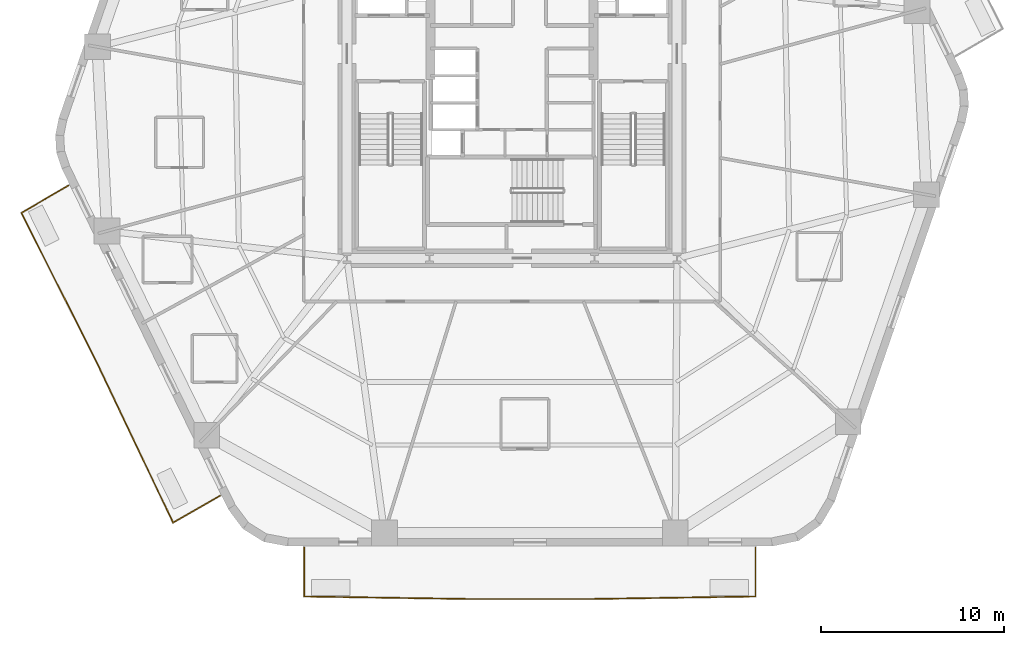
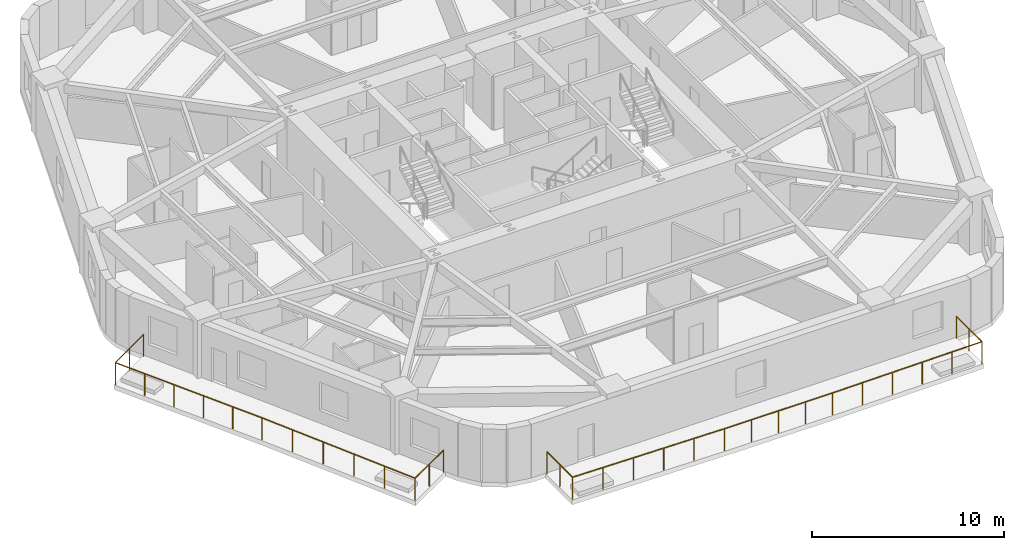
# One storey, part 8 of 10: 2 railings.
"""IFC4 building model written with IfcOpenShell, lengths in metres."""

from ifc_helpers import new_model, si_unit, direction, frame, origin, origin_2d, place, context, subcontext, project, spatial, rectangle, extrude, material, layer, layer_set, type_object, element, save


model = new_model("IFC4")

# Units and contexts
model_context = context("Model", 3, precision=1e-05, world=origin(), true_north=direction((0.0, 1.0)))
body_context = subcontext(model_context, "Body", "Model", "MODEL_VIEW")
ifc_project = project(units=[si_unit("LENGTHUNIT", "METRE"), si_unit("AREAUNIT", "SQUARE_METRE"), si_unit("VOLUMEUNIT", "CUBIC_METRE"), si_unit("PLANEANGLEUNIT", "RADIAN"), si_unit("MASSUNIT", "GRAM", prefix="KILO")], contexts=[model_context])

# Site, building, storey
site_placement = place(None, origin())
site = spatial("IfcSite", under=ifc_project, at=site_placement, CompositionType="ELEMENT")
building_placement = place(site_placement, origin())
building = spatial("IfcBuilding", under=site, at=building_placement, Name="Kilnhurst Terrace Hotel", CompositionType="ELEMENT")
storey_placement = place(building_placement, frame((0.0, 0.0, 56.39990234375)))
storey = spatial("IfcBuildingStorey", under=building, at=storey_placement, Name="L12", CompositionType="ELEMENT", Elevation=56.39990234375)

# Railings
ifc_material = material(Name="Laminated SentryGlas and Stainless Steel AISI 316L Balustrade", Category="steel")
ifc_layer = layer(ifc_material, 0.070068359375, Name="Laminated SentryGlas and Stainless Steel AISI 316L Balustrade")
ifc_layer_set = layer_set([ifc_layer], Name="Laminated SentryGlas and Stainless Steel AISI 316L Balustrade")
railing_type = type_object("IfcRailingType", Name="RLG-BAL-1420", PredefinedType="BALUSTRADE", material=ifc_layer_set)
railing_1_placement = place(storey_placement, frame((-15.923095703125, -20.44873046875, 0.0)))
element("IfcRailing", 1, at=railing_1_placement, inside=storey, type_object=railing_type, Name="L12 Exterior Terrace Guardrail BAL-L2A.1", PredefinedType="BALUSTRADE", context=body_context, shape_type="SweptSolid", body=[
    extrude(rectangle(XDim=0.048095703125, YDim=0.048095703125, at=origin_2d()), frame((0.0, 0.0, 1.39599609375), z_axis=(-0.86763656582, -0.497198943736, 0.0), x_axis=(0.497198943736, -0.86763656582, 0.0)), (0.0, 0.0, 1.0), 2.95068359375),
    extrude(rectangle(XDim=0.048095703125, YDim=0.048095703125, at=origin_2d()), frame((-2.56005859375, -1.467041015625, 1.39599609375), z_axis=(-0.430147205624, 0.902758761516, 0.0), x_axis=(-0.902758761516, -0.430147205624, 0.0)), (0.0, 0.0, 1.0), 9.67041015625),
    extrude(rectangle(XDim=0.048095703125, YDim=0.048095703125, at=origin_2d()), frame((-6.7197265625, 7.262939453125, 1.39599609375), z_axis=(-0.514495755428, 0.857492925713, 0.0), x_axis=(-0.857492925713, -0.514495755428, 0.0)), (0.0, 0.0, 1.0), 0.00146484375),
    extrude(rectangle(XDim=0.048095703125, YDim=0.048095703125, at=origin_2d()), frame((-6.720458984375, 7.26416015625, 1.39599609375), z_axis=(-0.449648824937, 0.89320542667, 0.0), x_axis=(-0.89320542667, -0.449648824937, 0.0)), (0.0, 0.0, 1.0), 9.136962890625),
    extrude(rectangle(XDim=0.048095703125, YDim=0.048095703125, at=origin_2d()), frame((-10.828857421875, 15.42529296875, 1.39599609375), z_axis=(0.863737120301, 0.503942642584, 0.0), x_axis=(-0.503942642584, 0.863737120301, 0.0)), (0.0, 0.0, 1.0), 2.96728515625),
    extrude(rectangle(XDim=0.0419921875, YDim=0.0419921875, at=origin_2d()), origin(), (0.0, 0.0, 1.0), 1.371826171875),
    extrude(rectangle(XDim=0.0419921875, YDim=0.0419921875, at=origin_2d()), frame((-1.280029296875, -0.7333984375, 0.0)), (0.0, 0.0, 1.0), 1.371826171875),
    extrude(rectangle(XDim=0.0419921875, YDim=0.0419921875, at=origin_2d()), frame((-2.56005859375, -1.467041015625, 0.0)), (0.0, 0.0, 1.0), 1.371826171875),
    extrude(rectangle(XDim=0.0419921875, YDim=0.0419921875, at=origin_2d()), frame((-3.39208984375, 0.279052734375, 0.0)), (0.0, 0.0, 1.0), 1.371826171875),
    extrude(rectangle(XDim=0.0419921875, YDim=0.0419921875, at=origin_2d()), frame((-4.223876953125, 2.02490234375, 0.0)), (0.0, 0.0, 1.0), 1.371826171875),
    extrude(rectangle(XDim=0.0419921875, YDim=0.0419921875, at=origin_2d()), frame((-5.055908203125, 3.77099609375, 0.0)), (0.0, 0.0, 1.0), 1.371826171875),
    extrude(rectangle(XDim=0.0419921875, YDim=0.0419921875, at=origin_2d()), frame((-5.8876953125, 5.516845703125, 0.0)), (0.0, 0.0, 1.0), 1.371826171875),
    extrude(rectangle(XDim=0.0419921875, YDim=0.0419921875, at=origin_2d()), frame((-6.7197265625, 7.262939453125, 0.0)), (0.0, 0.0, 1.0), 1.371826171875),
    extrude(rectangle(XDim=0.0419921875, YDim=0.0419921875, at=origin_2d()), frame((-6.720458984375, 7.26416015625, 0.0)), (0.0, 0.0, 1.0), 1.371826171875),
    extrude(rectangle(XDim=0.0419921875, YDim=0.0419921875, at=origin_2d()), frame((-7.542236328125, 8.896484375, 0.0)), (0.0, 0.0, 1.0), 1.371826171875),
    extrude(rectangle(XDim=0.0419921875, YDim=0.0419921875, at=origin_2d()), frame((-8.36376953125, 10.528564453125, 0.0)), (0.0, 0.0, 1.0), 1.371826171875),
    extrude(rectangle(XDim=0.0419921875, YDim=0.0419921875, at=origin_2d()), frame((-9.185546875, 12.160888671875, 0.0)), (0.0, 0.0, 1.0), 1.371826171875),
    extrude(rectangle(XDim=0.0419921875, YDim=0.0419921875, at=origin_2d()), frame((-10.007080078125, 13.79296875, 0.0)), (0.0, 0.0, 1.0), 1.371826171875),
    extrude(rectangle(XDim=0.0419921875, YDim=0.0419921875, at=origin_2d()), frame((-10.828857421875, 15.42529296875, 0.0)), (0.0, 0.0, 1.0), 1.371826171875),
    extrude(rectangle(XDim=0.0419921875, YDim=0.0419921875, at=origin_2d()), frame((-9.54736328125, 16.1728515625, 0.0)), (0.0, 0.0, 1.0), 1.371826171875),
    extrude(rectangle(XDim=0.0419921875, YDim=0.0419921875, at=origin_2d()), frame((-8.265869140625, 16.920654296875, 0.0)), (0.0, 0.0, 1.0), 1.371826171875),
])
railing_2_placement = place(storey_placement, frame((13.281494140625, -23.280029296875, 0.0)))
element("IfcRailing", 2, at=railing_2_placement, inside=storey, type_object=railing_type, Name="L12 Exterior Terrace Guardrail BAL-L2B.1", PredefinedType="BALUSTRADE", context=body_context, shape_type="SweptSolid", body=[
    extrude(rectangle(XDim=0.048095703125, YDim=0.048095703125, at=origin_2d()), frame((0.0, 0.0, 1.39599609375), z_axis=(0.0, -1.0, 0.0), x_axis=(1.0, 0.0, 0.0)), (0.0, 0.0, 1.0), 2.660888671875),
    extrude(rectangle(XDim=0.048095703125, YDim=0.048095703125, at=origin_2d()), frame((0.0, -2.660888671875, 1.39599609375), z_axis=(-0.999881869157, -0.015370352358, 0.0), x_axis=(0.015370352358, -0.999881869157, 0.0)), (0.0, 0.0, 1.0), 9.0537109375),
    extrude(rectangle(XDim=0.048095703125, YDim=0.048095703125, at=origin_2d()), frame((-9.052734375, -2.800048828125, 1.39599609375), z_axis=(-1.0, 0.0, 0.0), x_axis=(0.0, -1.0, 0.0)), (0.0, 0.0, 1.0), 6.508056640625),
    extrude(rectangle(XDim=0.048095703125, YDim=0.048095703125, at=origin_2d()), frame((-15.560791015625, -2.800048828125, 1.39599609375), z_axis=(-0.999881869157, 0.015370352358, 0.0), x_axis=(-0.015370352358, -0.999881869157, 0.0)), (0.0, 0.0, 1.0), 9.0537109375),
    extrude(rectangle(XDim=0.048095703125, YDim=0.048095703125, at=origin_2d()), frame((-24.613525390625, -2.660888671875, 1.39599609375), z_axis=(0.0, 1.0, 0.0), x_axis=(-1.0, 0.0, 0.0)), (0.0, 0.0, 1.0), 2.660888671875),
    extrude(rectangle(XDim=0.0419921875, YDim=0.0419921875, at=origin_2d()), origin(), (0.0, 0.0, 1.0), 1.371826171875),
    extrude(rectangle(XDim=0.0419921875, YDim=0.0419921875, at=origin_2d()), frame((0.0, -1.33056640625, 0.0)), (0.0, 0.0, 1.0), 1.371826171875),
    extrude(rectangle(XDim=0.0419921875, YDim=0.0419921875, at=origin_2d()), frame((0.0, -2.660888671875, 0.0)), (0.0, 0.0, 1.0), 1.371826171875),
    extrude(rectangle(XDim=0.0419921875, YDim=0.0419921875, at=origin_2d()), frame((-1.810546875, -2.688720703125, 0.0)), (0.0, 0.0, 1.0), 1.371826171875),
    extrude(rectangle(XDim=0.0419921875, YDim=0.0419921875, at=origin_2d()), frame((-3.62109375, -2.716552734375, 0.0)), (0.0, 0.0, 1.0), 1.371826171875),
    extrude(rectangle(XDim=0.0419921875, YDim=0.0419921875, at=origin_2d()), frame((-5.431640625, -2.744384765625, 0.0)), (0.0, 0.0, 1.0), 1.371826171875),
    extrude(rectangle(XDim=0.0419921875, YDim=0.0419921875, at=origin_2d()), frame((-7.2421875, -2.772216796875, 0.0)), (0.0, 0.0, 1.0), 1.371826171875),
    extrude(rectangle(XDim=0.0419921875, YDim=0.0419921875, at=origin_2d()), frame((-9.052734375, -2.800048828125, 0.0)), (0.0, 0.0, 1.0), 1.371826171875),
    extrude(rectangle(XDim=0.0419921875, YDim=0.0419921875, at=origin_2d()), frame((-10.6796875, -2.800048828125, 0.0)), (0.0, 0.0, 1.0), 1.371826171875),
    extrude(rectangle(XDim=0.0419921875, YDim=0.0419921875, at=origin_2d()), frame((-12.306640625, -2.800048828125, 0.0)), (0.0, 0.0, 1.0), 1.371826171875),
    extrude(rectangle(XDim=0.0419921875, YDim=0.0419921875, at=origin_2d()), frame((-13.933837890625, -2.800048828125, 0.0)), (0.0, 0.0, 1.0), 1.371826171875),
    extrude(rectangle(XDim=0.0419921875, YDim=0.0419921875, at=origin_2d()), frame((-15.560791015625, -2.800048828125, 0.0)), (0.0, 0.0, 1.0), 1.371826171875),
    extrude(rectangle(XDim=0.0419921875, YDim=0.0419921875, at=origin_2d()), frame((-17.371337890625, -2.772216796875, 0.0)), (0.0, 0.0, 1.0), 1.371826171875),
    extrude(rectangle(XDim=0.0419921875, YDim=0.0419921875, at=origin_2d()), frame((-19.181884765625, -2.744384765625, 0.0)), (0.0, 0.0, 1.0), 1.371826171875),
    extrude(rectangle(XDim=0.0419921875, YDim=0.0419921875, at=origin_2d()), frame((-20.992431640625, -2.716552734375, 0.0)), (0.0, 0.0, 1.0), 1.371826171875),
    extrude(rectangle(XDim=0.0419921875, YDim=0.0419921875, at=origin_2d()), frame((-22.802978515625, -2.688720703125, 0.0)), (0.0, 0.0, 1.0), 1.371826171875),
    extrude(rectangle(XDim=0.0419921875, YDim=0.0419921875, at=origin_2d()), frame((-24.613525390625, -2.660888671875, 0.0)), (0.0, 0.0, 1.0), 1.371826171875),
    extrude(rectangle(XDim=0.0419921875, YDim=0.0419921875, at=origin_2d()), frame((-24.613525390625, -1.33056640625, 0.0)), (0.0, 0.0, 1.0), 1.371826171875),
    extrude(rectangle(XDim=0.0419921875, YDim=0.0419921875, at=origin_2d()), frame((-24.613525390625, 0.0, 0.0)), (0.0, 0.0, 1.0), 1.371826171875),
])

save(model, "model.ifc")
